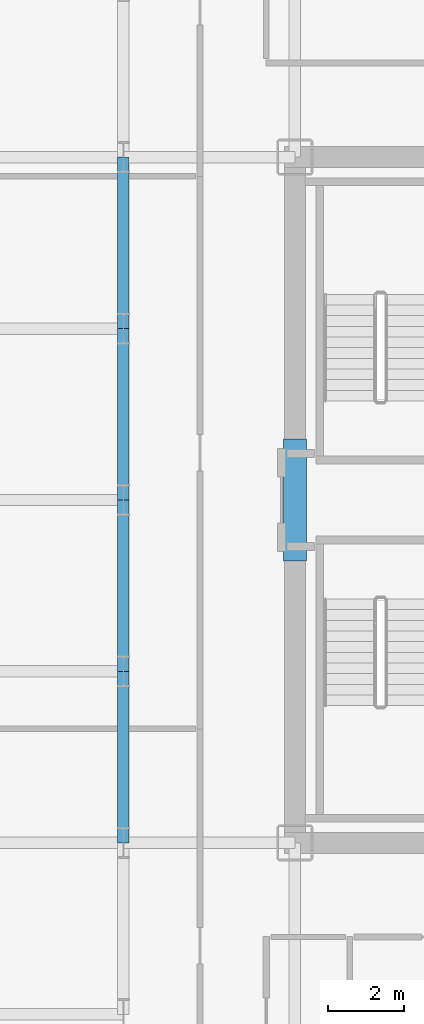
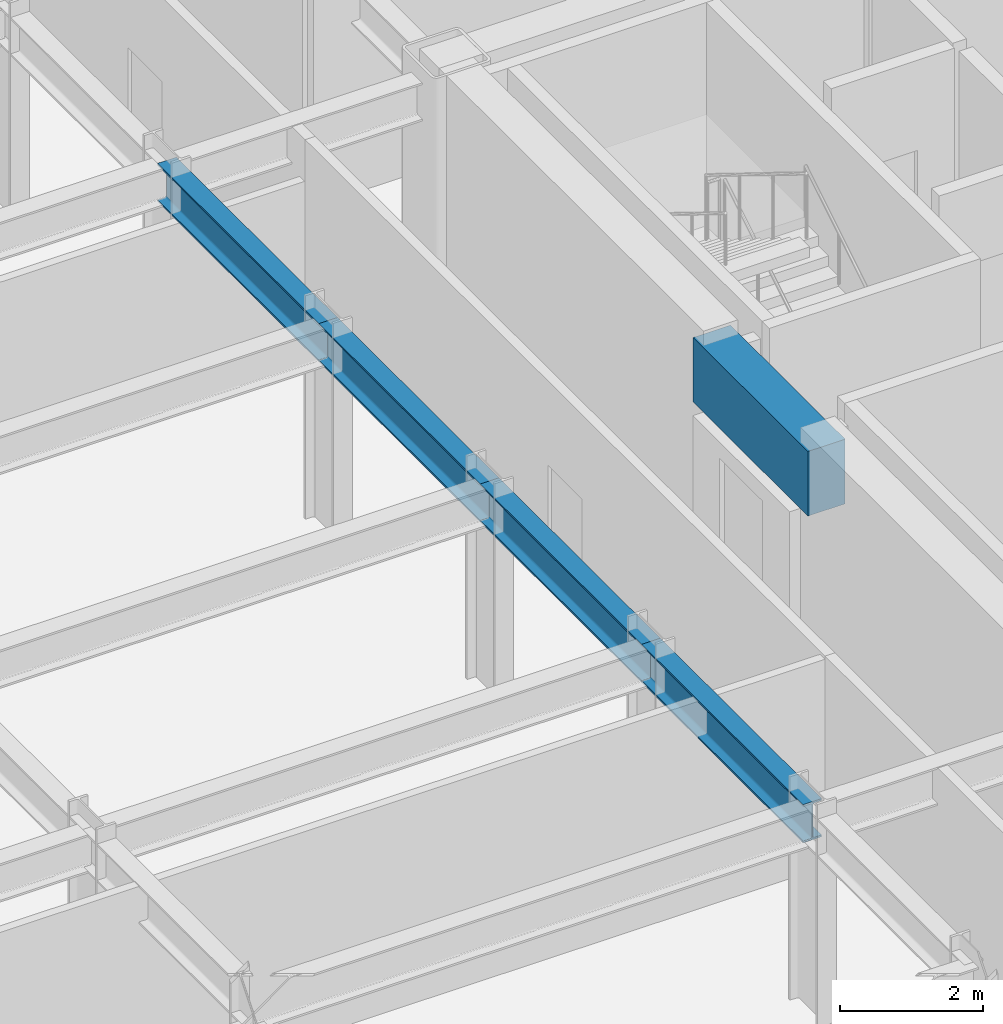
# One storey, part 8 of 26: 5 beams.
"""IFC4 building model written with IfcOpenShell, lengths in metres."""

from ifc_helpers import new_model, si_unit, direction, frame, origin, origin_2d, place, context, subcontext, project, spatial, rectangle, i_section, extrude, source, transform, mapped, material, material_profile, profile_set, type_object, element, save


model = new_model("IFC4")

# Units and contexts
model_context = context("Model", 3, precision=1e-05, world=origin(), true_north=direction((0.0, 1.0)))
body_context = subcontext(model_context, "Body", "Model", "MODEL_VIEW")
ifc_project = project(units=[si_unit("LENGTHUNIT", "METRE"), si_unit("AREAUNIT", "SQUARE_METRE"), si_unit("VOLUMEUNIT", "CUBIC_METRE"), si_unit("PLANEANGLEUNIT", "RADIAN"), si_unit("MASSUNIT", "GRAM", prefix="KILO")], contexts=[model_context])

# Site, building, storey
site_placement = place(None, origin())
site = spatial("IfcSite", under=ifc_project, at=site_placement, CompositionType="ELEMENT")
building_placement = place(site_placement, origin())
building = spatial("IfcBuilding", under=site, at=building_placement, Name="Nefas-Gora Pilgrimage Tower", CompositionType="ELEMENT")
storey_placement = place(building_placement, frame((0.0, 0.0, 171.60009765625)))
storey = spatial("IfcBuildingStorey", under=building, at=storey_placement, Name="L42", CompositionType="ELEMENT", Elevation=171.60009765625)

# Beams
ifc_material_1 = material(Name="Concrete C60/75", Category="concrete")
ifc_material_profile_1 = material_profile(ifc_material_1, rectangle(XDim=0.60009765625, YDim=1.10009765625, at=origin_2d()), Name="RC 600x1100")
ifc_profile_set_1 = profile_set([ifc_material_profile_1], Name="Concrete C60/75")
beam_type_1 = type_object("IfcBeamType", Name="BM-LIN-RC1100", PredefinedType="LINTEL", material=ifc_profile_set_1)
shared_shape_1 = source(origin(), body_context, "Body", "SweptSolid", [
    extrude(rectangle(XDim=0.60009765625, YDim=1.10009765625, at=origin_2d()), origin(), (0.0, 0.0, 1.0), 3.2001953125),
])
beam_placement = place(storey_placement, frame((-11.25, -1.60009765625, 3.0), z_axis=(0.0, 1.0, 0.0), x_axis=(-1.0, 0.0, 0.0)))
element("IfcBeam", 1, at=beam_placement, inside=storey, type_object=beam_type_1, Name="L42 Core Coupling Lintel Beam W", PredefinedType="LINTEL", context=body_context, shape_type="MappedRepresentation", body=[
    mapped(shared_shape_1, transform((0.0, 0.0, 0.0), x_axis=(1.0, 0.0, 0.0), y_axis=(0.0, 1.0, 0.0), z_axis=(0.0, 0.0, 1.0), scale=1.0)),
])
ifc_material_2 = material(Name="Steel S355", Category="steel")
ifc_material_profile_2 = material_profile(ifc_material_2, i_section(OverallWidth=0.300048828125, OverallDepth=0.64990234375, WebThickness=0.01611328125, FlangeThickness=0.031005859375, FilletRadius=0.027099609375, at=origin_2d()), Name="HEB 650")
ifc_profile_set_2 = profile_set([ifc_material_profile_2], Name="Steel S355")
beam_type_2 = type_object("IfcBeamType", Name="BM-GIR-HEB650", PredefinedType="BEAM", material=ifc_profile_set_2)
shared_shape_2 = source(origin(), body_context, "Body", "SweptSolid", [
    extrude(i_section(OverallWidth=0.300048828125, OverallDepth=0.64990234375, WebThickness=0.01611328125, FlangeThickness=0.031005859375, FilletRadius=0.027099609375, at=origin_2d()), origin(), (0.0, 0.0, 1.0), 4.5),
])
for number, where, z_axis, x_axis, name in (
    (2, (-15.75, -9.0, 3.224853515625), (0.0, 1.0, 0.0), (-1.0, 0.0, 0.0), "L42 G-03 beam"),
    (3, (-15.75, -4.5, 3.224853515625), (0.0, 1.0, 0.0), (-1.0, 0.0, 0.0), "L42 G-03 beam"),
    (4, (-15.75, 0.0, 3.224853515625), (0.0, 1.0, 0.0), (-1.0, 0.0, 0.0), "L42 G-03 beam"),
    (5, (-15.75, 4.5, 3.224853515625), (0.0, 1.0, 0.0), (-1.0, 0.0, 0.0), "L42 G-03 beam"),
):
    element("IfcBeam", number, at=place(storey_placement, frame(where, z_axis=z_axis, x_axis=x_axis)), inside=storey, type_object=beam_type_2, Name=name, PredefinedType="BEAM", context=body_context, shape_type="MappedRepresentation", body=[
        mapped(shared_shape_2, transform((0.0, 0.0, 0.0), x_axis=(1.0, 0.0, 0.0), y_axis=(0.0, 1.0, 0.0), z_axis=(0.0, 0.0, 1.0), scale=1.0)),
    ])

save(model, "model.ifc")
